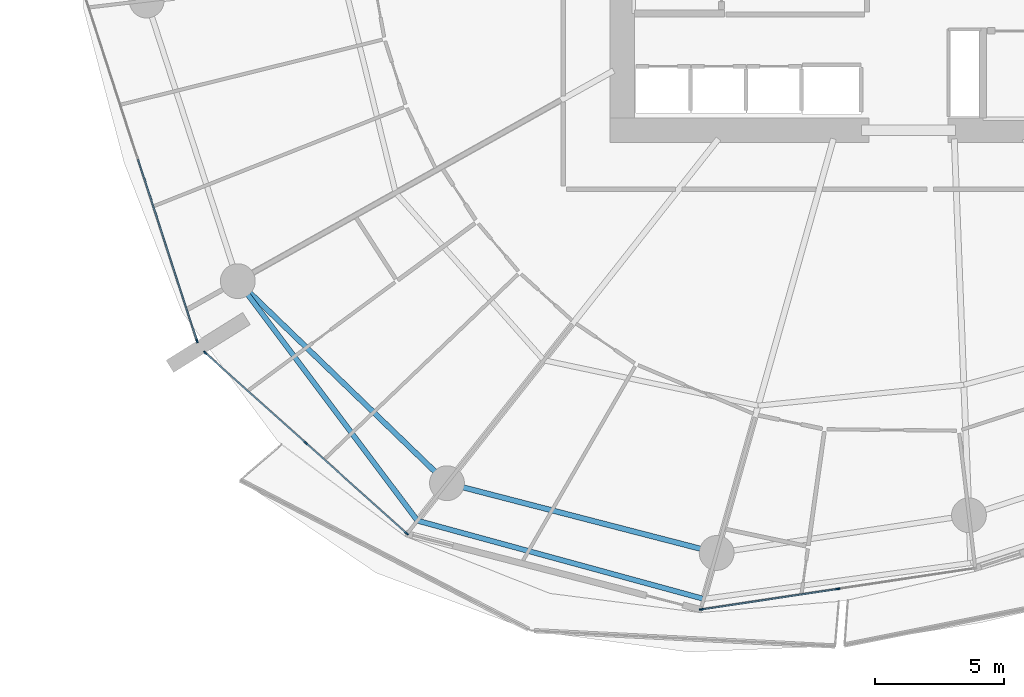
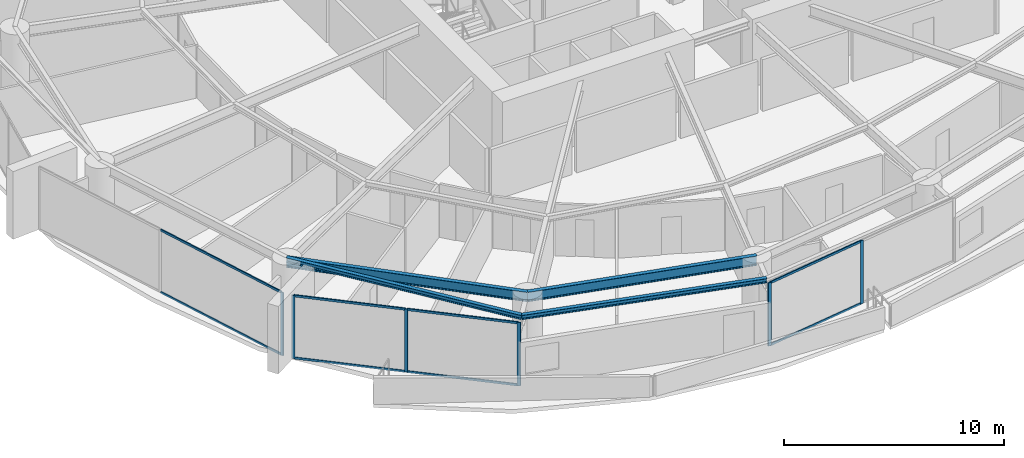
# One storey, part 6 of 31: 14 members, 4 beams, 3 elements without a shape of their own.
"""IFC4 building model written with IfcOpenShell, lengths in metres."""

from ifc_helpers import new_model, si_unit, direction, frame, origin, origin_2d, place, context, subcontext, project, spatial, rectangle, i_section, extrude, material, layer, layer_set, material_profile, profile_set, type_object, element, aggregate, save


model = new_model("IFC4")

# Units and contexts
model_context = context("Model", 3, precision=1e-05, world=origin(), true_north=direction((0.0, 1.0)))
body_context = subcontext(model_context, "Body", "Model", "MODEL_VIEW")
ifc_project = project(units=[si_unit("LENGTHUNIT", "METRE"), si_unit("AREAUNIT", "SQUARE_METRE"), si_unit("VOLUMEUNIT", "CUBIC_METRE"), si_unit("PLANEANGLEUNIT", "RADIAN"), si_unit("MASSUNIT", "GRAM", prefix="KILO")], contexts=[model_context])

# Site, building, storey
site_placement = place(None, origin())
site = spatial("IfcSite", under=ifc_project, at=site_placement, CompositionType="ELEMENT")
building_placement = place(site_placement, origin())
building = spatial("IfcBuilding", under=site, at=building_placement, Name="Kazma Halo Residences", CompositionType="ELEMENT")
storey_placement = place(building_placement, frame((0.0, 0.0, 37.64990234375)))
storey = spatial("IfcBuildingStorey", under=building, at=storey_placement, Name="L08", CompositionType="ELEMENT", Elevation=37.64990234375)

# Beams
ifc_material_1 = material(Name="Steel S355", Category="steel")
ifc_material_profile_1 = material_profile(ifc_material_1, i_section(OverallWidth=0.201904296875, OverallDepth=0.2470703125, WebThickness=0.00732421875, FlangeThickness=0.010986328125, FilletRadius=0.011962890625, at=origin_2d()), Name="W250x49.1")
ifc_profile_set_1 = profile_set([ifc_material_profile_1], Name="Steel S355")
beam_type_1 = type_object("IfcBeamType", Name="BM-BAL-CANT", PredefinedType="BEAM", material=ifc_profile_set_1)
beam_1_placement = place(storey_placement, frame((22.43505859375, 27.682861328125, 3.376708984375), z_axis=(0.600026935007, -0.799979798037, 0.0), x_axis=(0.799979798037, 0.600026935007, 0.0)))
element("IfcBeam", 1, at=beam_1_placement, inside=storey, type_object=beam_type_1, Name="L08 wave-balcony lead tie beam 09", PredefinedType="BEAM", context=body_context, shape_type="SweptSolid", body=[
    extrude(i_section(OverallWidth=0.201904296875, OverallDepth=0.2470703125, WebThickness=0.00732421875, FlangeThickness=0.010986328125, FilletRadius=0.011962890625, at=origin_2d()), origin(), (0.0, 0.0, 1.0), 11.601806640625),
])
beam_2_placement = place(storey_placement, frame((29.396484375, 18.401611328125, 3.376708984375), z_axis=(0.964628474934, -0.263613173697, 0.0), x_axis=(0.263613173697, 0.964628474934, 0.0)))
element("IfcBeam", 2, at=beam_2_placement, inside=storey, type_object=beam_type_1, Name="L08 wave-balcony tie beam 10", PredefinedType="BEAM", context=body_context, shape_type="SweptSolid", body=[
    extrude(i_section(OverallWidth=0.201904296875, OverallDepth=0.2470703125, WebThickness=0.00732421875, FlangeThickness=0.010986328125, FilletRadius=0.011962890625, at=origin_2d()), origin(), (0.0, 0.0, 1.0), 11.499755859375),
])
ifc_material_profile_2 = material_profile(ifc_material_1, i_section(OverallWidth=0.208984375, OverallDepth=0.532958984375, WebThickness=0.01025390625, FlangeThickness=0.015625, FilletRadius=0.01611328125, at=origin_2d()), Name="W530x92")
ifc_profile_set_2 = profile_set([ifc_material_profile_2], Name="Steel S355")
beam_type_2 = type_object("IfcBeamType", Name="BM-SPN-W530", PredefinedType="BEAM", material=ifc_profile_set_2)
beam_3_placement = place(storey_placement, frame((22.43505859375, 27.682861328125, 3.233642578125), z_axis=(0.719336506967, -0.694661780829, 0.0), x_axis=(0.694661780829, 0.719336506967, 0.0)))
element("IfcBeam", 3, at=beam_3_placement, inside=storey, type_object=beam_type_2, Name="L08 perimeter ring beam 09", PredefinedType="BEAM", context=body_context, shape_type="SweptSolid", body=[
    extrude(i_section(OverallWidth=0.208984375, OverallDepth=0.532958984375, WebThickness=0.01025390625, FlangeThickness=0.015625, FilletRadius=0.01611328125, at=origin_2d()), origin(), (0.0, 0.0, 1.0), 11.269775390625),
])
beam_4_placement = place(storey_placement, frame((30.541748046875, 19.854248046875, 3.233642578125), z_axis=(0.968123558238, -0.250473104313, 0.0), x_axis=(0.250473104313, 0.968123558238, 0.0)))
element("IfcBeam", 4, at=beam_4_placement, inside=storey, type_object=beam_type_2, Name="L08 perimeter ring beam 10", PredefinedType="BEAM", context=body_context, shape_type="SweptSolid", body=[
    extrude(i_section(OverallWidth=0.208984375, OverallDepth=0.532958984375, WebThickness=0.01025390625, FlangeThickness=0.015625, FilletRadius=0.01611328125, at=origin_2d()), origin(), (0.0, 0.0, 1.0), 10.7939453125),
])

# Curtain wall, member
ifc_material_2 = material(Name="Aluminium AW-6063 T6 and Triple-Silver Low-E Glass", Category="aluminium")
ifc_layer = layer(ifc_material_2, 0.159912109375)
ifc_layer_set = layer_set([ifc_layer], Name="Aluminium AW-6063 T6 and Triple-Silver Low-E Glass")
curtain_wall_type = type_object("IfcCurtainWallType", Name="CW-SYS-2", PredefinedType="NOTDEFINED", material=ifc_layer_set)
curtain_wall_1_placement = place(storey_placement, origin())
curtain_wall_1 = element("IfcCurtainWall", 5, at=curtain_wall_1_placement, inside=storey, type_object=curtain_wall_type, Name="L08 unitised curtain wall B08", PredefinedType="NOTDEFINED")
ifc_material_3 = material(Name="Aluminium AW-6063 T6", Category="aluminium")
ifc_material_profile_3 = material_profile(ifc_material_3, rectangle(XDim=0.06005859375, YDim=0.159912109375, at=origin_2d()), Name="CWM-60x160")
ifc_profile_set_3 = profile_set([ifc_material_profile_3], Name="Aluminium AW-6063 T6")
member_type_1 = type_object("IfcMemberType", Name="CW-SYS-2-MUL", PredefinedType="MULLION", material=ifc_profile_set_3)
member_1_placement = place(storey_placement, frame((20.854248046875, 25.36669921875, 0.0), z_axis=(0.0, 0.0, 1.0), x_axis=(0.95105652404, 0.309016970539, 0.0)))
member_1 = element("IfcMember", 6, at=member_1_placement, type_object=member_type_1, Name="CWS-2 mullion 3", PredefinedType="MULLION", context=body_context, shape_type="SweptSolid", body=[
    extrude(rectangle(XDim=0.06005859375, YDim=0.159912109375, at=origin_2d()), origin(), (0.0, 0.0, 1.0), 3.5),
])

# Curtain wall, members
curtain_wall_2_placement = place(storey_placement, origin())
curtain_wall_2 = element("IfcCurtainWall", 7, at=curtain_wall_2_placement, inside=storey, type_object=curtain_wall_type, Name="L08 unitised curtain wall B09", PredefinedType="NOTDEFINED")
member_2_placement = place(storey_placement, frame((21.17333984375, 24.908203125, 0.0), z_axis=(0.0, 0.0, 1.0), x_axis=(0.667821453854, 0.744321506993, 0.0)))
member_2 = element("IfcMember", 8, at=member_2_placement, type_object=member_type_1, Name="CWS-2 mullion 1", PredefinedType="MULLION", context=body_context, shape_type="SweptSolid", body=[
    extrude(rectangle(XDim=0.06005859375, YDim=0.159912109375, at=origin_2d()), origin(), (0.0, 0.0, 1.0), 3.5),
])
member_3_placement = place(storey_placement, frame((25.07275390625, 21.409912109375, 0.0), z_axis=(0.0, 0.0, 1.0), x_axis=(0.667821453854, 0.744321506993, 0.0)))
member_3 = element("IfcMember", 9, at=member_3_placement, type_object=member_type_1, Name="CWS-2 mullion 2", PredefinedType="MULLION", context=body_context, shape_type="SweptSolid", body=[
    extrude(rectangle(XDim=0.06005859375, YDim=0.159912109375, at=origin_2d()), origin(), (0.0, 0.0, 1.0), 3.5),
])
member_4_placement = place(storey_placement, frame((28.971923828125, 17.911376953125, 0.0), z_axis=(0.0, 0.0, 1.0), x_axis=(0.667821453854, 0.744321506993, 0.0)))
member_4 = element("IfcMember", 10, at=member_4_placement, type_object=member_type_1, Name="CWS-2 mullion 3", PredefinedType="MULLION", context=body_context, shape_type="SweptSolid", body=[
    extrude(rectangle(XDim=0.06005859375, YDim=0.159912109375, at=origin_2d()), origin(), (0.0, 0.0, 1.0), 3.5),
])

curtain_wall_3_placement = place(storey_placement, origin())
curtain_wall_3 = element("IfcCurtainWall", 11, at=curtain_wall_3_placement, inside=storey, type_object=curtain_wall_type, Name="L08 unitised curtain wall B11", PredefinedType="NOTDEFINED")
member_5_placement = place(storey_placement, frame((40.403076171875, 14.962158203125, 0.0), z_axis=(0.0, 0.0, 1.0), x_axis=(-0.148657272805, 0.988888777994, 0.0)))
member_5 = element("IfcMember", 12, at=member_5_placement, type_object=member_type_1, Name="CWS-2 mullion 1", PredefinedType="MULLION", context=body_context, shape_type="SweptSolid", body=[
    extrude(rectangle(XDim=0.06005859375, YDim=0.159912109375, at=origin_2d()), origin(), (0.0, 0.0, 1.0), 3.5),
])
member_6_placement = place(storey_placement, frame((45.6923828125, 15.75732421875, 0.0), z_axis=(0.0, 0.0, 1.0), x_axis=(-0.148657272805, 0.988888777994, 0.0)))
member_6 = element("IfcMember", 13, at=member_6_placement, type_object=member_type_1, Name="CWS-2 mullion 2", PredefinedType="MULLION", context=body_context, shape_type="SweptSolid", body=[
    extrude(rectangle(XDim=0.06005859375, YDim=0.159912109375, at=origin_2d()), origin(), (0.0, 0.0, 1.0), 3.5),
])

# Member
ifc_material_profile_4 = material_profile(ifc_material_3, rectangle(XDim=0.06005859375, YDim=0.1201171875, at=origin_2d()), Name="CWT-60x120")
ifc_profile_set_4 = profile_set([ifc_material_profile_4], Name="Aluminium AW-6063 T6")
member_type_2 = type_object("IfcMemberType", Name="CW-SYS-2-TRN", PredefinedType="USERDEFINED", material=ifc_profile_set_4)
member_7_placement = place(storey_placement, frame((18.5673828125, 32.4052734375, 0.030029296875), z_axis=(0.309004433966, -0.951060597328, 0.0), x_axis=(0.951060597328, 0.309004433966, 0.0)))
member_7 = element("IfcMember", 14, at=member_7_placement, type_object=member_type_2, Name="CWS-2 transom 2.1", ObjectType="TRANSOM", PredefinedType="USERDEFINED", context=body_context, shape_type="SweptSolid", body=[
    extrude(rectangle(XDim=0.06005859375, YDim=0.1201171875, at=origin_2d()), origin(), (0.0, 0.0, 1.0), 7.370849609375),
])

member_8_placement = place(storey_placement, frame((18.5673828125, 32.4052734375, 3.47021484375), z_axis=(0.309004433966, -0.951060597328, 0.0), x_axis=(0.951060597328, 0.309004433966, 0.0)))
member_8 = element("IfcMember", 15, at=member_8_placement, type_object=member_type_2, Name="CWS-2 transom 2.2", ObjectType="TRANSOM", PredefinedType="USERDEFINED", context=body_context, shape_type="SweptSolid", body=[
    extrude(rectangle(XDim=0.06005859375, YDim=0.1201171875, at=origin_2d()), origin(), (0.0, 0.0, 1.0), 7.370849609375),
])

aggregate(curtain_wall_1, [member_1, member_7, member_8])

member_9_placement = place(storey_placement, frame((21.19580078125, 24.88818359375, 0.030029296875), z_axis=(0.744329408538, -0.66781264707, 0.0), x_axis=(0.66781264707, 0.744329408538, 0.0)))
member_9 = element("IfcMember", 16, at=member_9_placement, type_object=member_type_2, Name="CWS-2 transom 1.1", ObjectType="TRANSOM", PredefinedType="USERDEFINED", context=body_context, shape_type="SweptSolid", body=[
    extrude(rectangle(XDim=0.06005859375, YDim=0.1201171875, at=origin_2d()), origin(), (0.0, 0.0, 1.0), 5.178466796875),
])

member_10_placement = place(storey_placement, frame((21.19580078125, 24.88818359375, 3.47021484375), z_axis=(0.744329408538, -0.66781264707, 0.0), x_axis=(0.66781264707, 0.744329408538, 0.0)))
member_10 = element("IfcMember", 17, at=member_10_placement, type_object=member_type_2, Name="CWS-2 transom 1.2", ObjectType="TRANSOM", PredefinedType="USERDEFINED", context=body_context, shape_type="SweptSolid", body=[
    extrude(rectangle(XDim=0.06005859375, YDim=0.1201171875, at=origin_2d()), origin(), (0.0, 0.0, 1.0), 5.178466796875),
])

member_11_placement = place(storey_placement, frame((25.094970703125, 21.3896484375, 0.030029296875), z_axis=(0.744329408538, -0.66781264707, 0.0), x_axis=(0.66781264707, 0.744329408538, 0.0)))
member_11 = element("IfcMember", 18, at=member_11_placement, type_object=member_type_2, Name="CWS-2 transom 2.1", ObjectType="TRANSOM", PredefinedType="USERDEFINED", context=body_context, shape_type="SweptSolid", body=[
    extrude(rectangle(XDim=0.06005859375, YDim=0.1201171875, at=origin_2d()), origin(), (0.0, 0.0, 1.0), 5.178466796875),
])

member_12_placement = place(storey_placement, frame((25.094970703125, 21.3896484375, 3.47021484375), z_axis=(0.744329408538, -0.66781264707, 0.0), x_axis=(0.66781264707, 0.744329408538, 0.0)))
member_12 = element("IfcMember", 19, at=member_12_placement, type_object=member_type_2, Name="CWS-2 transom 2.2", ObjectType="TRANSOM", PredefinedType="USERDEFINED", context=body_context, shape_type="SweptSolid", body=[
    extrude(rectangle(XDim=0.06005859375, YDim=0.1201171875, at=origin_2d()), origin(), (0.0, 0.0, 1.0), 5.178466796875),
])

aggregate(curtain_wall_2, [member_2, member_3, member_4, member_9, member_10, member_11, member_12])

member_13_placement = place(storey_placement, frame((40.4326171875, 14.966796875, 0.030029296875), z_axis=(0.988890934274, 0.148642928222, 0.0), x_axis=(-0.148642928222, 0.988890934274, 0.0)))
member_13 = element("IfcMember", 20, at=member_13_placement, type_object=member_type_2, Name="CWS-2 transom 1.1", ObjectType="TRANSOM", PredefinedType="USERDEFINED", context=body_context, shape_type="SweptSolid", body=[
    extrude(rectangle(XDim=0.06005859375, YDim=0.1201171875, at=origin_2d()), origin(), (0.0, 0.0, 1.0), 5.288818359375),
])

member_14_placement = place(storey_placement, frame((40.4326171875, 14.966796875, 3.47021484375), z_axis=(0.988890934274, 0.148642928222, 0.0), x_axis=(-0.148642928222, 0.988890934274, 0.0)))
member_14 = element("IfcMember", 21, at=member_14_placement, type_object=member_type_2, Name="CWS-2 transom 1.2", ObjectType="TRANSOM", PredefinedType="USERDEFINED", context=body_context, shape_type="SweptSolid", body=[
    extrude(rectangle(XDim=0.06005859375, YDim=0.1201171875, at=origin_2d()), origin(), (0.0, 0.0, 1.0), 5.288818359375),
])

aggregate(curtain_wall_3, [member_5, member_6, member_13, member_14])

save(model, "model.ifc")
